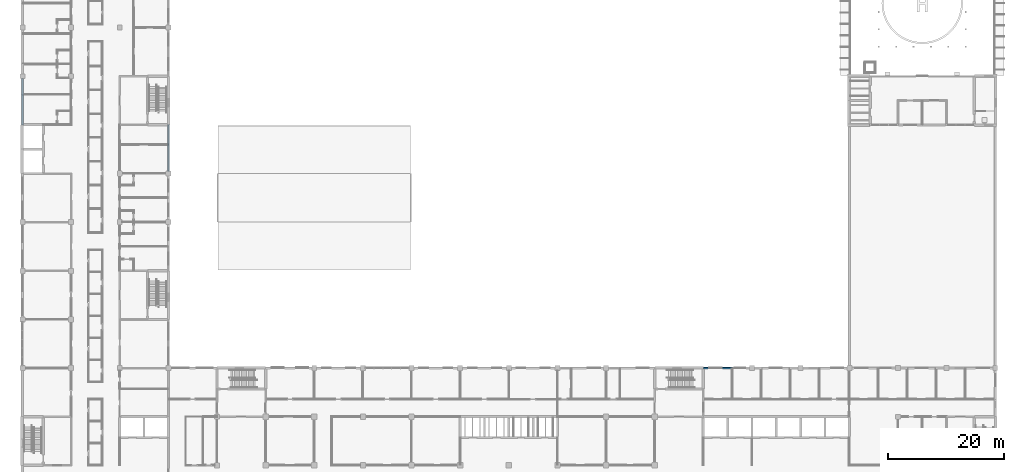
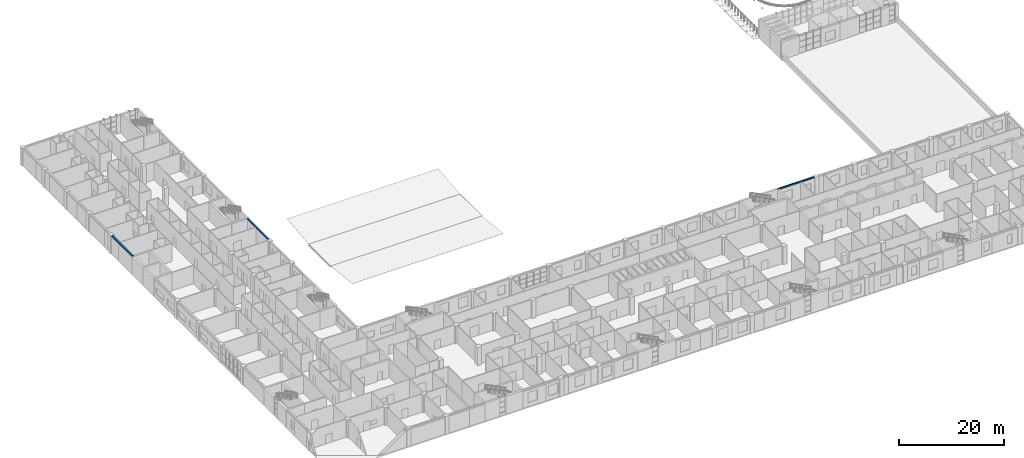
# One storey, part 15 of 66: 3 beams.
"""IFC4 building model written with IfcOpenShell, lengths in metres."""

from ifc_helpers import new_model, si_unit, direction, frame, origin, origin_2d, place, context, subcontext, project, spatial, rectangle, extrude, material, material_profile, profile_set, type_object, element, save


model = new_model("IFC4")

# Units and contexts
model_context = context("Model", 3, precision=1e-05, world=origin(), true_north=direction((0.0, 1.0)))
body_context = subcontext(model_context, "Body", "Model", "MODEL_VIEW")
ifc_project = project(units=[si_unit("LENGTHUNIT", "METRE"), si_unit("AREAUNIT", "SQUARE_METRE"), si_unit("VOLUMEUNIT", "CUBIC_METRE"), si_unit("PLANEANGLEUNIT", "RADIAN"), si_unit("MASSUNIT", "GRAM", prefix="KILO")], contexts=[model_context])

# Site, building, storey
site_placement = place(None, origin())
site = spatial("IfcSite", under=ifc_project, at=site_placement, CompositionType="ELEMENT")
building_placement = place(site_placement, origin())
building = spatial("IfcBuilding", under=site, at=building_placement, Name="Yavir Park General Hospital", CompositionType="ELEMENT")
storey_placement = place(building_placement, frame((0.0, 0.0, 8.39990234375)))
storey = spatial("IfcBuildingStorey", under=building, at=storey_placement, Name="L02", CompositionType="ELEMENT", Elevation=8.39990234375)

# Beams
ifc_material = material(Name="Concrete C35/45", Category="concrete")
ifc_material_profile = material_profile(ifc_material, rectangle(XDim=0.300048828125, YDim=0.300048828125, at=origin_2d()), Name="RC300x300")
ifc_profile_set = profile_set([ifc_material_profile], Name="Concrete C35/45")
beam_type = type_object("IfcBeamType", Name="RC BEAM 300x300 edge beam", PredefinedType="BEAM", material=ifc_profile_set)
for number, where, z_axis, x_axis, name in (
    (1, (117.60009765625, 33.60009765625, 4.050048828125), (1.0, 0.0, 0.0), (0.0, 1.0, 0.0), "B:EDGE:L02:026"),
    (2, (0.0, 75.60009765625, 4.050048828125), (0.0, 1.0, 0.0), (-1.0, 0.0, 0.0), "B:EDGE:L02:040"),
):
    element("IfcBeam", number, at=place(storey_placement, frame(where, z_axis=z_axis, x_axis=x_axis)), inside=storey, type_object=beam_type, Name=name, PredefinedType="BEAM", context=body_context, shape_type="SweptSolid", body=[
        extrude(rectangle(XDim=0.300048828125, YDim=0.300048828125, at=origin_2d()), origin(), (0.0, 0.0, 1.0), 7.974853515625),
    ])
beam_placement = place(storey_placement, frame((25.199951171875, 67.625, 4.050048828125), z_axis=(0.0, 1.0, 0.0), x_axis=(-1.0, 0.0, 0.0)))
element("IfcBeam", 3, at=beam_placement, inside=storey, type_object=beam_type, Name="B:EDGE:L02:048", PredefinedType="BEAM", context=body_context, shape_type="SweptSolid", body=[
    extrude(rectangle(XDim=0.300048828125, YDim=0.300048828125, at=origin_2d()), origin(), (0.0, 0.0, 1.0), 7.97509765625),
])

save(model, "model.ifc")
